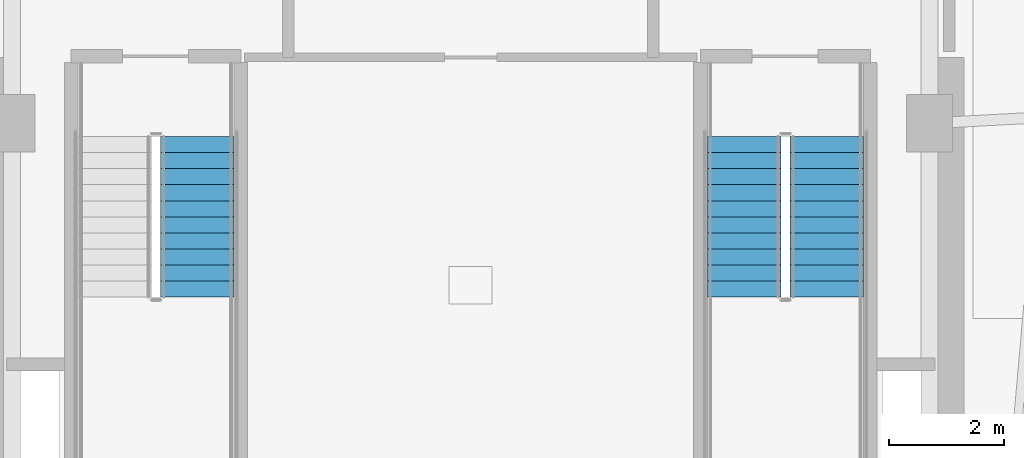
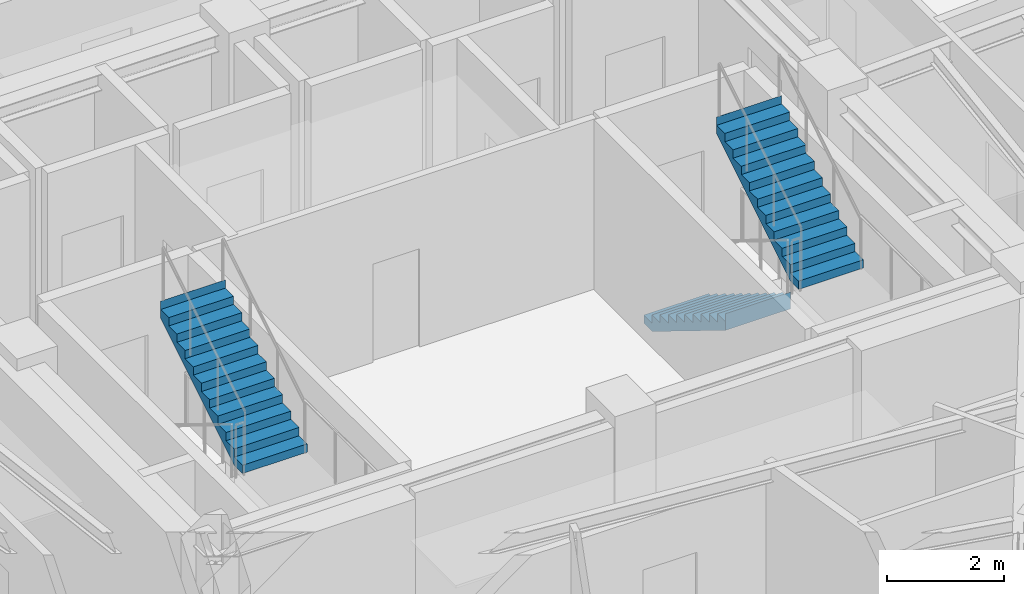
# One storey, part 10 of 13: 3 stair flights, 2 elements without a shape of their own.
"""IFC4 building model written with IfcOpenShell, lengths in metres."""

from ifc_helpers import new_model, si_unit, direction, frame, origin, place, context, subcontext, project, spatial, polyline, outline, extrude, material, type_object, element, aggregate, save


model = new_model("IFC4")

# Units and contexts
model_context = context("Model", 3, precision=1e-05, world=origin(), true_north=direction((0.0, 1.0)))
body_context = subcontext(model_context, "Body", "Model", "MODEL_VIEW")
ifc_project = project(units=[si_unit("LENGTHUNIT", "METRE"), si_unit("AREAUNIT", "SQUARE_METRE"), si_unit("VOLUMEUNIT", "CUBIC_METRE"), si_unit("PLANEANGLEUNIT", "RADIAN"), si_unit("MASSUNIT", "GRAM", prefix="KILO")], contexts=[model_context])

# Site, building, storey
site_placement = place(None, origin())
site = spatial("IfcSite", under=ifc_project, at=site_placement, CompositionType="ELEMENT")
building_placement = place(site_placement, origin())
building = spatial("IfcBuilding", under=site, at=building_placement, Name="Ndelora Gate Hotel", CompositionType="ELEMENT")
storey_placement = place(building_placement, frame((0.0, 0.0, 197.949951171875)))
storey = spatial("IfcBuildingStorey", under=building, at=storey_placement, Name="L49", CompositionType="ELEMENT", Elevation=197.949951171875)

# Stair, stair flight
ifc_material = material(Name="Precast concrete C40/50", Category="concrete")
stair_type = type_object("IfcStairType", Name="STR-DOG-CORE", PredefinedType="HALF_TURN_STAIR", material=ifc_material)
stair_1_placement = place(storey_placement, origin())
stair_1 = element("IfcStair", 1, at=stair_1_placement, inside=storey, type_object=stair_type, Name="L49 Protected Core Exit Stair ST4", PredefinedType="HALF_TURN_STAIR")
stair_flight_type = type_object("IfcStairFlightType", Name="STF-PRECAST", PredefinedType="STRAIGHT", material=ifc_material)
stair_flight_1_placement = place(storey_placement, frame((-4.77001953125, -3.030029296875, 1.900146484375), z_axis=(0.0, 0.0, 1.0), x_axis=(0.0, 1.0, 0.0)))
stair_flight_1 = element("IfcStairFlight", 2, at=stair_flight_1_placement, type_object=stair_flight_type, Name="ST4 flight 2", NumberOfRisers=11, NumberOfTreads=10, PredefinedType="STRAIGHT", RiserHeight=0.172727273, TreadLength=0.28, context=body_context, shape_type="SweptSolid", body=[
    extrude(outline(polyline([(-0.00048828125, 0.0), (-0.00048828125, 0.172607421875), (0.0, 0.172607421875), (0.280029296875, 0.172607421875), (0.280029296875, 0.345458984375), (0.56005859375, 0.345458984375), (0.56005859375, 0.51806640625), (0.840087890625, 0.51806640625), (0.840087890625, 0.69091796875), (1.1201171875, 0.69091796875), (1.1201171875, 0.863525390625), (1.39990234375, 0.863525390625), (1.39990234375, 1.036376953125), (1.679931640625, 1.036376953125), (1.679931640625, 1.208984375), (1.9599609375, 1.208984375), (1.9599609375, 1.3818359375), (2.239990234375, 1.3818359375), (2.239990234375, 1.554443359375), (2.52001953125, 1.554443359375), (2.52001953125, 1.727294921875), (2.800048828125, 1.727294921875), (2.800048828125, 1.89990234375), (2.800537109375, 1.89990234375), (2.800537109375, 1.719970703125), (2.800048828125, 1.551025390625), (0.285400390625, 0.0), (-0.00048828125, 0.0)])), frame((0.0, 0.64013671875, 0.0), z_axis=(0.0, -1.0, 0.0), x_axis=(1.0, 0.0, 0.0)), (0.0, 0.0, 1.0), 1.280029296875),
])
aggregate(stair_1, [stair_flight_1])

# Stair, stair flights
stair_2_placement = place(storey_placement, origin())
stair_2 = element("IfcStair", 3, at=stair_2_placement, inside=storey, type_object=stair_type, Name="L49 Protected Core Exit Stair ST5", PredefinedType="HALF_TURN_STAIR")
stair_flight_2_placement = place(storey_placement, frame((4.77001953125, -0.22998046875, 0.0), z_axis=(0.0, 0.0, 1.0), x_axis=(0.0, -1.0, 0.0)))
stair_flight_2 = element("IfcStairFlight", 4, at=stair_flight_2_placement, type_object=stair_flight_type, Name="ST5 flight 1", NumberOfRisers=11, NumberOfTreads=10, PredefinedType="STRAIGHT", RiserHeight=0.172727273, TreadLength=0.28, context=body_context, shape_type="SweptSolid", body=[
    extrude(outline(polyline([(-0.00048828125, 0.0), (-0.00048828125, 0.172607421875), (0.0, 0.172607421875), (0.280029296875, 0.172607421875), (0.280029296875, 0.345458984375), (0.56005859375, 0.345458984375), (0.56005859375, 0.51806640625), (0.840087890625, 0.51806640625), (0.840087890625, 0.69091796875), (1.1201171875, 0.69091796875), (1.1201171875, 0.863525390625), (1.39990234375, 0.863525390625), (1.39990234375, 1.036376953125), (1.679931640625, 1.036376953125), (1.679931640625, 1.208984375), (1.9599609375, 1.208984375), (1.9599609375, 1.3818359375), (2.239990234375, 1.3818359375), (2.239990234375, 1.554443359375), (2.52001953125, 1.554443359375), (2.52001953125, 1.727294921875), (2.800048828125, 1.727294921875), (2.800048828125, 1.89990234375), (2.800537109375, 1.89990234375), (2.800537109375, 1.719970703125), (2.800048828125, 1.551025390625), (0.285400390625, 0.0), (-0.00048828125, 0.0)])), frame((0.0, 0.64013671875, 0.0), z_axis=(0.0, -1.0, 0.0), x_axis=(1.0, 0.0, 0.0)), (0.0, 0.0, 1.0), 1.280029296875),
])
stair_flight_3_placement = place(storey_placement, frame((6.2099609375, -3.030029296875, 1.900146484375), z_axis=(0.0, 0.0, 1.0), x_axis=(0.0, 1.0, 0.0)))
stair_flight_3 = element("IfcStairFlight", 5, at=stair_flight_3_placement, type_object=stair_flight_type, Name="ST5 flight 2", NumberOfRisers=11, NumberOfTreads=10, PredefinedType="STRAIGHT", RiserHeight=0.172727273, TreadLength=0.28, context=body_context, shape_type="SweptSolid", body=[
    extrude(outline(polyline([(-0.00048828125, 0.0), (-0.00048828125, 0.172607421875), (0.0, 0.172607421875), (0.280029296875, 0.172607421875), (0.280029296875, 0.345458984375), (0.56005859375, 0.345458984375), (0.56005859375, 0.51806640625), (0.840087890625, 0.51806640625), (0.840087890625, 0.69091796875), (1.1201171875, 0.69091796875), (1.1201171875, 0.863525390625), (1.39990234375, 0.863525390625), (1.39990234375, 1.036376953125), (1.679931640625, 1.036376953125), (1.679931640625, 1.208984375), (1.9599609375, 1.208984375), (1.9599609375, 1.3818359375), (2.239990234375, 1.3818359375), (2.239990234375, 1.554443359375), (2.52001953125, 1.554443359375), (2.52001953125, 1.727294921875), (2.800048828125, 1.727294921875), (2.800048828125, 1.89990234375), (2.800537109375, 1.89990234375), (2.800537109375, 1.719970703125), (2.800048828125, 1.551025390625), (0.285400390625, 0.0), (-0.00048828125, 0.0)])), frame((0.0, 0.64013671875, 0.0), z_axis=(0.0, -1.0, 0.0), x_axis=(1.0, 0.0, 0.0)), (0.0, 0.0, 1.0), 1.280029296875),
])
aggregate(stair_2, [stair_flight_2, stair_flight_3])

save(model, "model.ifc")
